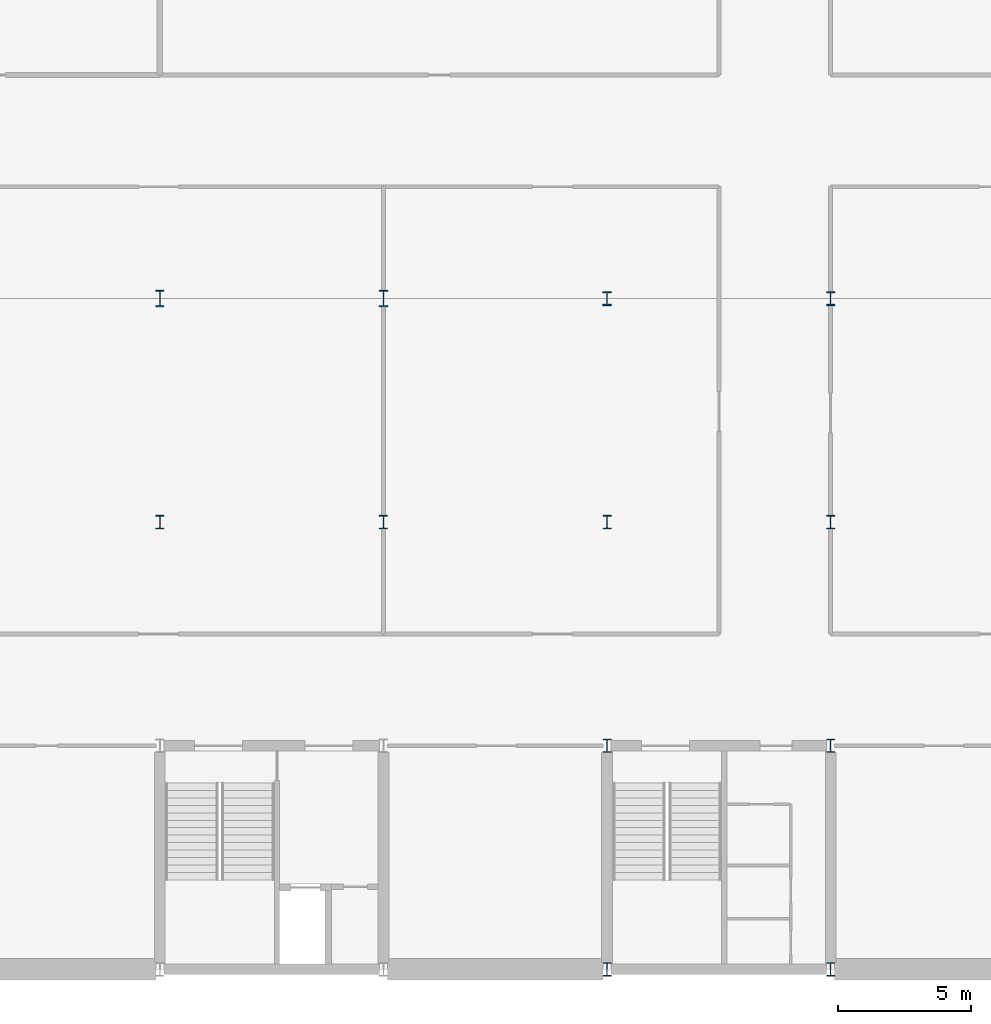
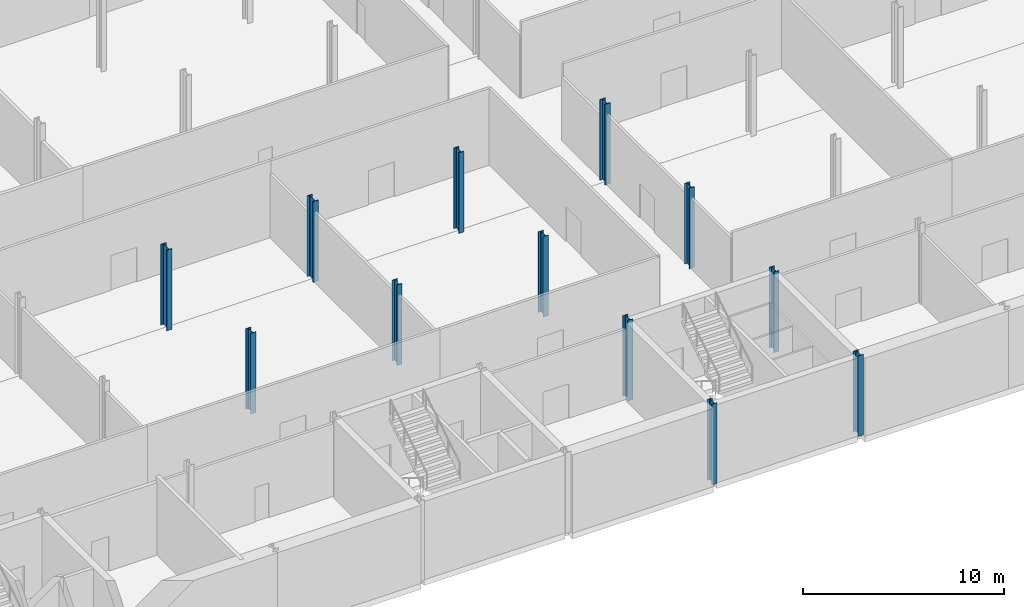
# One storey, part 2 of 20: 12 columns.
"""IFC4 building model written with IfcOpenShell, lengths in metres."""

from ifc_helpers import new_model, si_unit, direction, frame, origin, origin_2d, place, context, subcontext, project, spatial, i_section, extrude, material, material_profile, profile_set, type_object, element, save


model = new_model("IFC4")

# Units and contexts
model_context = context("Model", 3, precision=1e-05, world=origin(), true_north=direction((0.0, 1.0)))
body_context = subcontext(model_context, "Body", "Model", "MODEL_VIEW")
ifc_project = project(units=[si_unit("LENGTHUNIT", "METRE"), si_unit("AREAUNIT", "SQUARE_METRE"), si_unit("VOLUMEUNIT", "CUBIC_METRE"), si_unit("PLANEANGLEUNIT", "RADIAN"), si_unit("MASSUNIT", "GRAM", prefix="KILO")], contexts=[model_context])

# Site, building, storey
site_placement = place(None, origin())
site = spatial("IfcSite", under=ifc_project, at=site_placement, CompositionType="ELEMENT")
building_placement = place(site_placement, origin())
building = spatial("IfcBuilding", under=site, at=building_placement, Name="Galleria Vessillo Department Store", CompositionType="ELEMENT")
storey_placement = place(building_placement, frame((0.0, 0.0, -4.89990234375)))
storey = spatial("IfcBuildingStorey", under=building, at=storey_placement, Name="B1", CompositionType="ELEMENT", Elevation=-4.89990234375)

# Columns
ifc_material_1 = material(Name="Steel S355 J2", Category="steel")
ifc_material_profile_1 = material_profile(ifc_material_1, i_section(OverallWidth=0.300048828125, OverallDepth=0.5, WebThickness=0.014404296875, FlangeThickness=0.028076171875, FilletRadius=0.027099609375, at=origin_2d()), Name="HEB 500")
ifc_profile_set_1 = profile_set([ifc_material_profile_1], Name="Steel S355 J2")
column_type_1 = type_object("IfcColumnType", Name="Steel column HEB 500 CP1", PredefinedType="COLUMN", material=ifc_profile_set_1)
for number, where, z_axis, x_axis, name in (
    (1, (33.60009765625, 16.800048828125, 0.0), (0.0, 0.0, 1.0), (1.0, 0.0, 0.0), "S-COL-B1-5-C"),
    (2, (42.0, 16.800048828125, 0.0), (0.0, 0.0, 1.0), (1.0, 0.0, 0.0), "S-COL-B1-6-C"),
    (3, (50.39990234375, 0.0, 0.0), (0.0, 0.0, 1.0), (1.0, 0.0, 0.0), "S-COL-B1-7-A"),
    (4, (50.39990234375, 8.39990234375, 0.0), (0.0, 0.0, 1.0), (1.0, 0.0, 0.0), "S-COL-B1-7-B"),
    (5, (50.39990234375, 16.800048828125, 0.0), (0.0, 0.0, 1.0), (1.0, 0.0, 0.0), "S-COL-B1-7-C"),
    (6, (58.800048828125, 0.0, 0.0), (0.0, 0.0, 1.0), (1.0, 0.0, 0.0), "S-COL-B1-8-A"),
    (7, (58.800048828125, 8.39990234375, 0.0), (0.0, 0.0, 1.0), (1.0, 0.0, 0.0), "S-COL-B1-8-B"),
    (8, (58.800048828125, 16.800048828125, 0.0), (0.0, 0.0, 1.0), (1.0, 0.0, 0.0), "S-COL-B1-8-C"),
):
    element("IfcColumn", number, at=place(storey_placement, frame(where, z_axis=z_axis, x_axis=x_axis)), inside=storey, type_object=column_type_1, Name=name, PredefinedType="COLUMN", context=body_context, shape_type="SweptSolid", body=[
        extrude(i_section(OverallWidth=0.300048828125, OverallDepth=0.5, WebThickness=0.014404296875, FlangeThickness=0.028076171875, FilletRadius=0.027099609375, at=origin_2d()), origin(), (0.0, 0.0, 1.0), 4.89990234375),
    ])
ifc_material_2 = material(Name="Steel S355 J2", Category="steel")
ifc_material_profile_2 = material_profile(ifc_material_2, i_section(OverallWidth=0.305908203125, OverallDepth=0.52392578125, WebThickness=0.02099609375, FlangeThickness=0.0400390625, FilletRadius=0.027099609375, at=origin_2d()), Name="HEM 500")
ifc_profile_set_2 = profile_set([ifc_material_profile_2], Name="Steel S355 J2")
column_type_2 = type_object("IfcColumnType", Name="Steel column HEM 500 CV1", PredefinedType="COLUMN", material=ifc_profile_set_2)
for number, where, z_axis, x_axis, name in (
    (9, (50.39990234375, 25.199951171875, 0.0), (0.0, 0.0, 1.0), (1.0, 0.0, 0.0), "S-COL-B1-7-D"),
    (10, (58.800048828125, 25.199951171875, 0.0), (0.0, 0.0, 1.0), (1.0, 0.0, 0.0), "S-COL-B1-8-D"),
):
    element("IfcColumn", number, at=place(storey_placement, frame(where, z_axis=z_axis, x_axis=x_axis)), inside=storey, type_object=column_type_2, Name=name, PredefinedType="COLUMN", context=body_context, shape_type="SweptSolid", body=[
        extrude(i_section(OverallWidth=0.305908203125, OverallDepth=0.52392578125, WebThickness=0.02099609375, FlangeThickness=0.0400390625, FilletRadius=0.027099609375, at=origin_2d()), origin(), (0.0, 0.0, 1.0), 4.89990234375),
    ])
ifc_material_3 = material(Name="Steel S355 J2", Category="steel")
ifc_material_profile_3 = material_profile(ifc_material_3, i_section(OverallWidth=0.304931640625, OverallDepth=0.6201171875, WebThickness=0.02099609375, FlangeThickness=0.0400390625, FilletRadius=0.027099609375, at=origin_2d()), Name="HEM 600")
ifc_profile_set_3 = profile_set([ifc_material_profile_3], Name="Steel S355 J2")
column_type_3 = type_object("IfcColumnType", Name="Steel column HEM 600 CV2", PredefinedType="COLUMN", material=ifc_profile_set_3)
for number, where, z_axis, x_axis, name in (
    (11, (33.60009765625, 25.199951171875, 0.0), (0.0, 0.0, 1.0), (1.0, 0.0, 0.0), "S-COL-B1-5-D"),
    (12, (42.0, 25.199951171875, 0.0), (0.0, 0.0, 1.0), (1.0, 0.0, 0.0), "S-COL-B1-6-D"),
):
    element("IfcColumn", number, at=place(storey_placement, frame(where, z_axis=z_axis, x_axis=x_axis)), inside=storey, type_object=column_type_3, Name=name, PredefinedType="COLUMN", context=body_context, shape_type="SweptSolid", body=[
        extrude(i_section(OverallWidth=0.304931640625, OverallDepth=0.6201171875, WebThickness=0.02099609375, FlangeThickness=0.0400390625, FilletRadius=0.027099609375, at=origin_2d()), origin(), (0.0, 0.0, 1.0), 4.89990234375),
    ])

save(model, "model.ifc")
